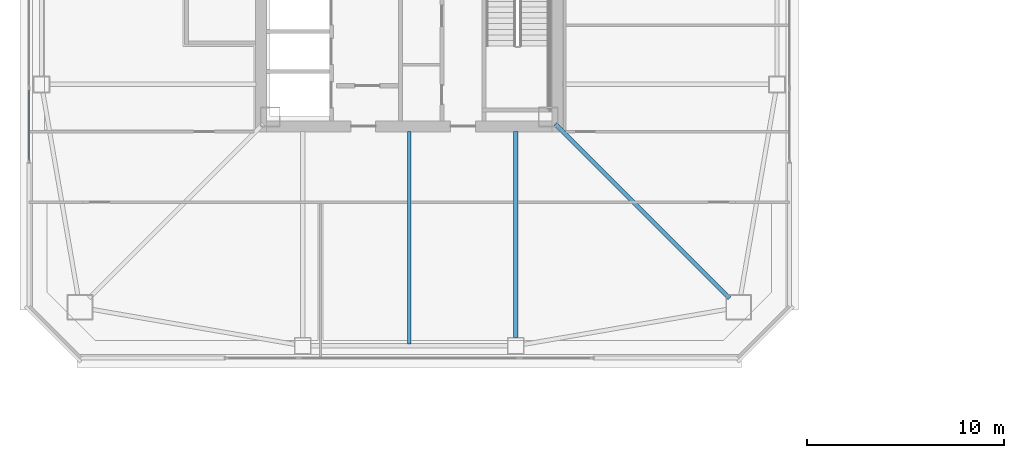
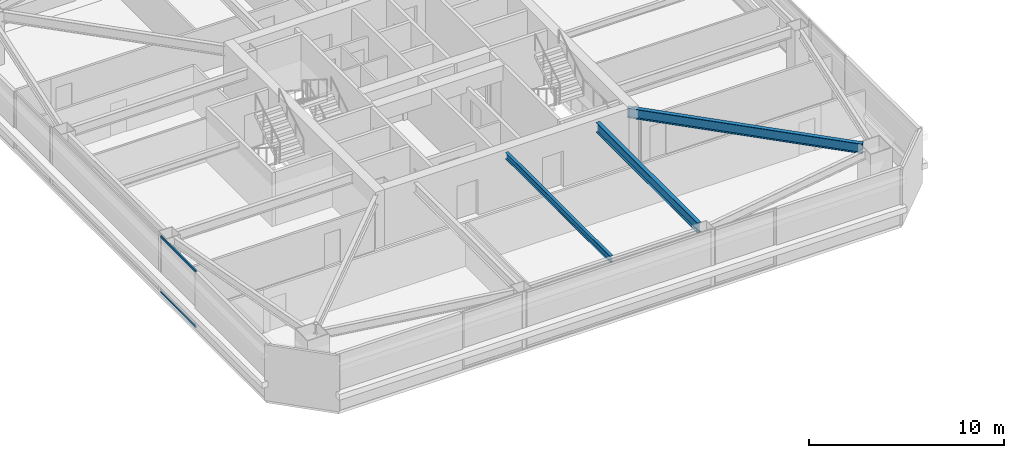
# One storey, part 7 of 41: 3 beams, 2 members, 1 element without a shape of its own.
"""IFC4 building model written with IfcOpenShell, lengths in metres."""

from ifc_helpers import new_model, si_unit, direction, frame, origin, origin_2d, place, context, subcontext, project, spatial, hollow_rectangle, i_section, extrude, material, material_profile, profile_set, type_object, element, aggregate, save


model = new_model("IFC4")

# Units and contexts
model_context = context("Model", 3, precision=1e-05, world=origin(), true_north=direction((0.0, 1.0)))
body_context = subcontext(model_context, "Body", "Model", "MODEL_VIEW")
ifc_project = project(units=[si_unit("LENGTHUNIT", "METRE"), si_unit("AREAUNIT", "SQUARE_METRE"), si_unit("VOLUMEUNIT", "CUBIC_METRE"), si_unit("PLANEANGLEUNIT", "RADIAN"), si_unit("MASSUNIT", "GRAM", prefix="KILO")], contexts=[model_context])

# Site, building, storey
site_placement = place(None, origin())
site = spatial("IfcSite", under=ifc_project, at=site_placement, CompositionType="ELEMENT")
building_placement = place(site_placement, origin())
building = spatial("IfcBuilding", under=site, at=building_placement, Name="Tashvorn Skyway Center", CompositionType="ELEMENT")
storey_placement = place(building_placement, frame((0.0, 0.0, 146.35009765625)))
storey = spatial("IfcBuildingStorey", under=building, at=storey_placement, Name="L39", CompositionType="ELEMENT", Elevation=146.35009765625)

# Beams
ifc_material_1 = material(Name="Steel ASTM A992 Grade 50", Category="steel")
ifc_material_profile_1 = material_profile(ifc_material_1, i_section(OverallWidth=0.22998046875, OverallDepth=0.616943359375, WebThickness=0.01318359375, FlangeThickness=0.022216796875, at=origin_2d()), Name="W24X94")
ifc_profile_set_1 = profile_set([ifc_material_profile_1], Name="Steel ASTM A992 Grade 50")
beam_type_1 = type_object("IfcBeamType", Name="BM-BEAM-W24X94", PredefinedType="BEAM", material=ifc_profile_set_1)
beam_1_placement = place(storey_placement, frame((58.243896484375, 15.756103515625, 3.0615234375), z_axis=(-0.707106781187, 0.707106781187, 0.0), x_axis=(-0.707106781187, -0.707106781187, 0.0)))
element("IfcBeam", 1, at=beam_1_placement, inside=storey, type_object=beam_type_1, Name="Tower 1 L39 Primary Floor Girder MC-SE", PredefinedType="BEAM", context=body_context, shape_type="SweptSolid", body=[
    extrude(i_section(OverallWidth=0.22998046875, OverallDepth=0.616943359375, WebThickness=0.01318359375, FlangeThickness=0.022216796875, at=origin_2d()), origin(), (0.0, 0.0, 1.0), 12.50732421875),
])
beam_2_placement = place(storey_placement, frame((47.39990234375, 13.77001953125, 3.0615234375), z_axis=(0.0, 1.0, 0.0), x_axis=(-1.0, 0.0, 0.0)))
element("IfcBeam", 2, at=beam_2_placement, inside=storey, type_object=beam_type_1, Name="Tower 1 L39 Primary Floor Girder FC-S2", PredefinedType="BEAM", context=body_context, shape_type="SweptSolid", body=[
    extrude(i_section(OverallWidth=0.22998046875, OverallDepth=0.616943359375, WebThickness=0.01318359375, FlangeThickness=0.022216796875, at=origin_2d()), origin(), (0.0, 0.0, 1.0), 10.449951171875),
])
ifc_material_profile_2 = material_profile(ifc_material_1, i_section(OverallWidth=0.177978515625, OverallDepth=0.406005859375, WebThickness=0.0078125, FlangeThickness=0.0126953125, at=origin_2d()), Name="W16X40")
ifc_profile_set_2 = profile_set([ifc_material_profile_2], Name="Steel ASTM A992 Grade 50")
beam_type_2 = type_object("IfcBeamType", Name="BM-JOIST-W16X40", PredefinedType="JOIST", material=ifc_profile_set_2)
beam_3_placement = place(storey_placement, frame((42.0, 24.2099609375, 3.1669921875), z_axis=(0.0, -1.0, 0.0), x_axis=(1.0, 0.0, 0.0)))
element("IfcBeam", 3, at=beam_3_placement, inside=storey, type_object=beam_type_2, Name="Tower 1 L39 Secondary Composite Joist JS", PredefinedType="JOIST", context=body_context, shape_type="SweptSolid", body=[
    extrude(i_section(OverallWidth=0.177978515625, OverallDepth=0.406005859375, WebThickness=0.0078125, FlangeThickness=0.0126953125, at=origin_2d()), origin(), (0.0, 0.0, 1.0), 10.762451171875),
])

# Curtain wall, members
ifc_material_2 = material(Name="Thermally broken bronze-anodized aluminium 6063-T6", Category="aluminium")
curtain_wall_type = type_object("IfcCurtainWallType", Name="CW-CW-Z3", PredefinedType="NOTDEFINED", material=ifc_material_2)
curtain_wall_placement = place(storey_placement, origin())
curtain_wall = element("IfcCurtainWall", 4, at=curtain_wall_placement, inside=storey, type_object=curtain_wall_type, Name="Tower 1 L39 West Unitised Curtain Wall Glazing Group 1", PredefinedType="NOTDEFINED")
ifc_material_profile_3 = material_profile(ifc_material_2, hollow_rectangle(XDim=0.074951171875, YDim=0.139892578125, WallThickness=0.004150390625, at=origin_2d()), Name="ALU-TRAN-75x140")
ifc_profile_set_3 = profile_set([ifc_material_profile_3], Name="Thermally broken bronze-anodized aluminium 6063-T6")
member_type = type_object("IfcMemberType", Name="CWT-CW-Z3", PredefinedType="USERDEFINED", material=ifc_profile_set_3)
member_1_placement = place(storey_placement, frame((22.719970703125, 22.752685546875, 0.037353515625), z_axis=(0.0, 1.0, 0.0), x_axis=(-1.0, 0.0, 0.0)))
member_1 = element("IfcMember", 5, at=member_1_placement, type_object=member_type, Name="CW-Z3 transom 1.1", ObjectType="TRANSOM", PredefinedType="USERDEFINED", context=body_context, shape_type="SweptSolid", body=[
    extrude(hollow_rectangle(XDim=0.074951171875, YDim=0.139892578125, WallThickness=0.004150390625, at=origin_2d()), origin(), (0.0, 0.0, 1.0), 3.5791015625),
])
member_2_placement = place(storey_placement, frame((22.719970703125, 22.752685546875, 3.512451171875), z_axis=(0.0, 1.0, 0.0), x_axis=(-1.0, 0.0, 0.0)))
member_2 = element("IfcMember", 6, at=member_2_placement, type_object=member_type, Name="CW-Z3 transom 1.2", ObjectType="TRANSOM", PredefinedType="USERDEFINED", context=body_context, shape_type="SweptSolid", body=[
    extrude(hollow_rectangle(XDim=0.074951171875, YDim=0.139892578125, WallThickness=0.004150390625, at=origin_2d()), origin(), (0.0, 0.0, 1.0), 3.5791015625),
])
aggregate(curtain_wall, [member_1, member_2])

save(model, "model.ifc")
